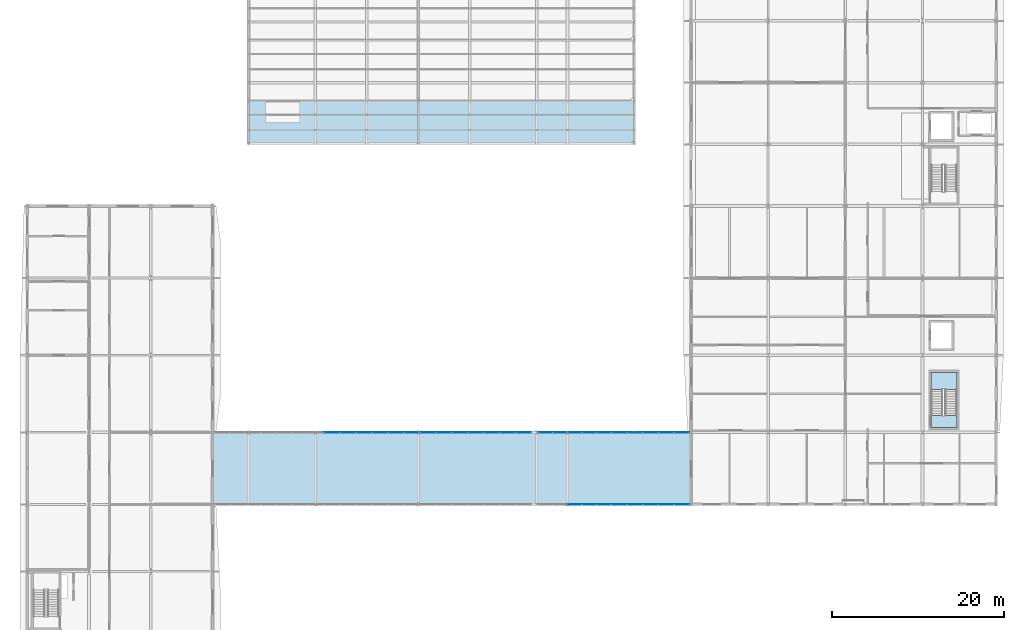
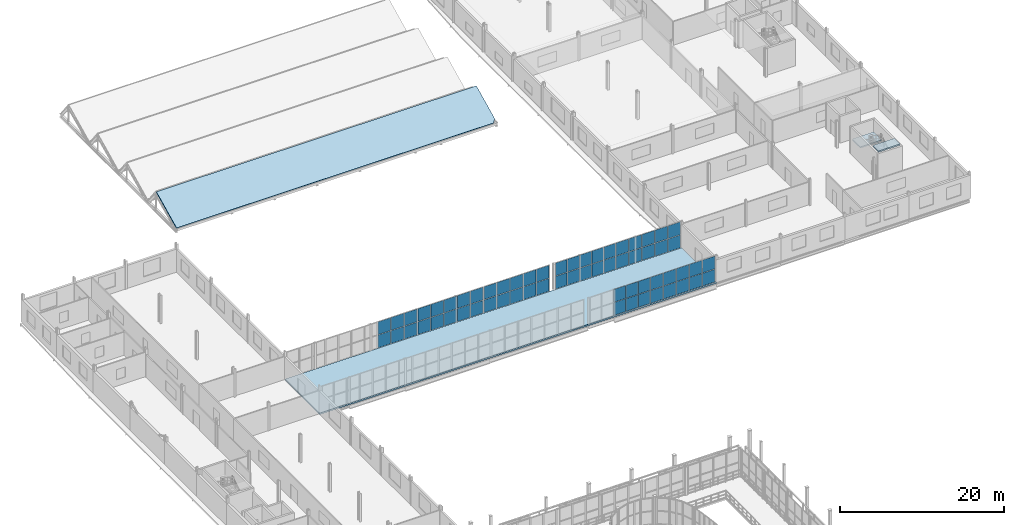
# One storey, part 102 of 138: 62 plates, 4 slabs, 8 elements without a shape of their own.
"""IFC4 building model written with IfcOpenShell, lengths in metres."""

from ifc_helpers import new_model, si_unit, direction, frame, origin, origin_2d, place, context, subcontext, project, spatial, polyline, rectangle, outline, extrude, material, layer, layer_set, type_object, element, aggregate, save


model = new_model("IFC4")

# Units and contexts
model_context = context("Model", 3, precision=1e-05, world=origin(), true_north=direction((0.0, 1.0)))
body_context = subcontext(model_context, "Body", "Model", "MODEL_VIEW")
ifc_project = project(units=[si_unit("LENGTHUNIT", "METRE"), si_unit("AREAUNIT", "SQUARE_METRE"), si_unit("VOLUMEUNIT", "CUBIC_METRE"), si_unit("PLANEANGLEUNIT", "RADIAN"), si_unit("MASSUNIT", "GRAM", prefix="KILO")], contexts=[model_context])

# Site, building, storey
site_placement = place(None, origin())
site = spatial("IfcSite", under=ifc_project, at=site_placement, CompositionType="ELEMENT")
building_placement = place(site_placement, origin())
building = spatial("IfcBuilding", under=site, at=building_placement, Name="Vinh Khe Railworks Police Headquarters", CompositionType="ELEMENT")
storey_placement = place(building_placement, frame((0.0, 0.0, 9.0)))
storey = spatial("IfcBuildingStorey", under=building, at=storey_placement, Name="L02", CompositionType="ELEMENT", Elevation=9.0)

# Curtain wall, plates
ifc_material_1 = material(Name="Anodised aluminium and solar-control glass", Category="aluminium")
ifc_layer_1 = layer(ifc_material_1, 0.159912109375)
ifc_layer_set_1 = layer_set([ifc_layer_1], Name="Anodised aluminium and solar-control glass")
curtain_wall_type = type_object("IfcCurtainWallType", Name="CW-SHOPFRONT", PredefinedType="USERDEFINED", material=ifc_layer_set_1)
curtain_wall_1_placement = place(storey_placement, origin())
curtain_wall_1 = element("IfcCurtainWall", 1, at=curtain_wall_1_placement, inside=storey, type_object=curtain_wall_type, Name="Link Bridge North Glazing L02 Bay 2", ObjectType="UNITISED GLAZING", PredefinedType="USERDEFINED")
ifc_material_2 = material(Name="Low-iron laminated solar-control glass", Category="glass")
ifc_layer_2 = layer(ifc_material_2, 0.028076171875)
ifc_layer_set_2 = layer_set([ifc_layer_2], Name="Low-iron laminated solar-control glass")
plate_type = type_object("IfcPlateType", Name="PAN-GLZ-28", PredefinedType="CURTAIN_PANEL", material=ifc_layer_set_2)
plate_1_placement = place(storey_placement, frame((36.14990234375, 104.39990234375, 0.06005859375), z_axis=(0.0, 0.0, 1.0), x_axis=(1.0, 0.0, 0.0)))
plate_1 = element("IfcPlate", 2, at=plate_1_placement, type_object=plate_type, Name="CW-03 panel 3.1", PredefinedType="CURTAIN_PANEL", context=body_context, shape_type="SweptSolid", body=[
    extrude(rectangle(XDim=1.800048828125, YDim=0.028076171875, at=origin_2d()), origin(), (0.0, 0.0, 1.0), 1.89990234375),
])
plate_2_placement = place(storey_placement, frame((36.14990234375, 104.39990234375, 2.02001953125), z_axis=(0.0, 0.0, 1.0), x_axis=(1.0, 0.0, 0.0)))
plate_2 = element("IfcPlate", 3, at=plate_2_placement, type_object=plate_type, Name="CW-03 panel 3.2", PredefinedType="CURTAIN_PANEL", context=body_context, shape_type="SweptSolid", body=[
    extrude(rectangle(XDim=1.800048828125, YDim=0.028076171875, at=origin_2d()), origin(), (0.0, 0.0, 1.0), 1.89990234375),
])
plate_3_placement = place(storey_placement, frame((38.010009765625, 104.39990234375, 0.06005859375), z_axis=(0.0, 0.0, 1.0), x_axis=(1.0, 0.0, 0.0)))
plate_3 = element("IfcPlate", 4, at=plate_3_placement, type_object=plate_type, Name="CW-03 panel 4.1", PredefinedType="CURTAIN_PANEL", context=body_context, shape_type="SweptSolid", body=[
    extrude(rectangle(XDim=1.800048828125, YDim=0.028076171875, at=origin_2d()), origin(), (0.0, 0.0, 1.0), 1.89990234375),
])
plate_4_placement = place(storey_placement, frame((38.010009765625, 104.39990234375, 2.02001953125), z_axis=(0.0, 0.0, 1.0), x_axis=(1.0, 0.0, 0.0)))
plate_4 = element("IfcPlate", 5, at=plate_4_placement, type_object=plate_type, Name="CW-03 panel 4.2", PredefinedType="CURTAIN_PANEL", context=body_context, shape_type="SweptSolid", body=[
    extrude(rectangle(XDim=1.800048828125, YDim=0.028076171875, at=origin_2d()), origin(), (0.0, 0.0, 1.0), 1.89990234375),
])
plate_5_placement = place(storey_placement, frame((39.85498046875, 104.39990234375, 0.06005859375), z_axis=(0.0, 0.0, 1.0), x_axis=(1.0, 0.0, 0.0)))
plate_5 = element("IfcPlate", 6, at=plate_5_placement, type_object=plate_type, Name="CW-03 panel 5.1", PredefinedType="CURTAIN_PANEL", context=body_context, shape_type="SweptSolid", body=[
    extrude(rectangle(XDim=1.77001953125, YDim=0.028076171875, at=origin_2d()), origin(), (0.0, 0.0, 1.0), 1.89990234375),
])
plate_6_placement = place(storey_placement, frame((39.85498046875, 104.39990234375, 2.02001953125), z_axis=(0.0, 0.0, 1.0), x_axis=(1.0, 0.0, 0.0)))
plate_6 = element("IfcPlate", 7, at=plate_6_placement, type_object=plate_type, Name="CW-03 panel 5.2", PredefinedType="CURTAIN_PANEL", context=body_context, shape_type="SweptSolid", body=[
    extrude(rectangle(XDim=1.77001953125, YDim=0.028076171875, at=origin_2d()), origin(), (0.0, 0.0, 1.0), 1.89990234375),
])
aggregate(curtain_wall_1, [plate_1, plate_2, plate_3, plate_4, plate_5, plate_6])

curtain_wall_2_placement = place(storey_placement, origin())
curtain_wall_2 = element("IfcCurtainWall", 8, at=curtain_wall_2_placement, inside=storey, type_object=curtain_wall_type, Name="Link Bridge North Glazing L02 Bay 3", ObjectType="UNITISED GLAZING", PredefinedType="USERDEFINED")
plate_7_placement = place(storey_placement, frame((41.7451171875, 104.39990234375, 0.06005859375), z_axis=(0.0, 0.0, 1.0), x_axis=(1.0, 0.0, 0.0)))
plate_7 = element("IfcPlate", 9, at=plate_7_placement, type_object=plate_type, Name="CW-03 panel 1.1", PredefinedType="CURTAIN_PANEL", context=body_context, shape_type="SweptSolid", body=[
    extrude(rectangle(XDim=1.77001953125, YDim=0.028076171875, at=origin_2d()), origin(), (0.0, 0.0, 1.0), 1.89990234375),
])
plate_8_placement = place(storey_placement, frame((41.7451171875, 104.39990234375, 2.02001953125), z_axis=(0.0, 0.0, 1.0), x_axis=(1.0, 0.0, 0.0)))
plate_8 = element("IfcPlate", 10, at=plate_8_placement, type_object=plate_type, Name="CW-03 panel 1.2", PredefinedType="CURTAIN_PANEL", context=body_context, shape_type="SweptSolid", body=[
    extrude(rectangle(XDim=1.77001953125, YDim=0.028076171875, at=origin_2d()), origin(), (0.0, 0.0, 1.0), 1.89990234375),
])
plate_9_placement = place(storey_placement, frame((43.590087890625, 104.39990234375, 0.06005859375), z_axis=(0.0, 0.0, 1.0), x_axis=(1.0, 0.0, 0.0)))
plate_9 = element("IfcPlate", 11, at=plate_9_placement, type_object=plate_type, Name="CW-03 panel 2.1", PredefinedType="CURTAIN_PANEL", context=body_context, shape_type="SweptSolid", body=[
    extrude(rectangle(XDim=1.800048828125, YDim=0.028076171875, at=origin_2d()), origin(), (0.0, 0.0, 1.0), 1.89990234375),
])
plate_10_placement = place(storey_placement, frame((43.590087890625, 104.39990234375, 2.02001953125), z_axis=(0.0, 0.0, 1.0), x_axis=(1.0, 0.0, 0.0)))
plate_10 = element("IfcPlate", 12, at=plate_10_placement, type_object=plate_type, Name="CW-03 panel 2.2", PredefinedType="CURTAIN_PANEL", context=body_context, shape_type="SweptSolid", body=[
    extrude(rectangle(XDim=1.800048828125, YDim=0.028076171875, at=origin_2d()), origin(), (0.0, 0.0, 1.0), 1.89990234375),
])
plate_11_placement = place(storey_placement, frame((45.449951171875, 104.39990234375, 0.06005859375), z_axis=(0.0, 0.0, 1.0), x_axis=(1.0, 0.0, 0.0)))
plate_11 = element("IfcPlate", 13, at=plate_11_placement, type_object=plate_type, Name="CW-03 panel 3.1", PredefinedType="CURTAIN_PANEL", context=body_context, shape_type="SweptSolid", body=[
    extrude(rectangle(XDim=1.800048828125, YDim=0.028076171875, at=origin_2d()), origin(), (0.0, 0.0, 1.0), 1.89990234375),
])
plate_12_placement = place(storey_placement, frame((45.449951171875, 104.39990234375, 2.02001953125), z_axis=(0.0, 0.0, 1.0), x_axis=(1.0, 0.0, 0.0)))
plate_12 = element("IfcPlate", 14, at=plate_12_placement, type_object=plate_type, Name="CW-03 panel 3.2", PredefinedType="CURTAIN_PANEL", context=body_context, shape_type="SweptSolid", body=[
    extrude(rectangle(XDim=1.800048828125, YDim=0.028076171875, at=origin_2d()), origin(), (0.0, 0.0, 1.0), 1.89990234375),
])
plate_13_placement = place(storey_placement, frame((47.31005859375, 104.39990234375, 0.06005859375), z_axis=(0.0, 0.0, 1.0), x_axis=(1.0, 0.0, 0.0)))
plate_13 = element("IfcPlate", 15, at=plate_13_placement, type_object=plate_type, Name="CW-03 panel 4.1", PredefinedType="CURTAIN_PANEL", context=body_context, shape_type="SweptSolid", body=[
    extrude(rectangle(XDim=1.800048828125, YDim=0.028076171875, at=origin_2d()), origin(), (0.0, 0.0, 1.0), 1.89990234375),
])
plate_14_placement = place(storey_placement, frame((47.31005859375, 104.39990234375, 2.02001953125), z_axis=(0.0, 0.0, 1.0), x_axis=(1.0, 0.0, 0.0)))
plate_14 = element("IfcPlate", 16, at=plate_14_placement, type_object=plate_type, Name="CW-03 panel 4.2", PredefinedType="CURTAIN_PANEL", context=body_context, shape_type="SweptSolid", body=[
    extrude(rectangle(XDim=1.800048828125, YDim=0.028076171875, at=origin_2d()), origin(), (0.0, 0.0, 1.0), 1.89990234375),
])
plate_15_placement = place(storey_placement, frame((49.155029296875, 104.39990234375, 0.06005859375), z_axis=(0.0, 0.0, 1.0), x_axis=(1.0, 0.0, 0.0)))
plate_15 = element("IfcPlate", 17, at=plate_15_placement, type_object=plate_type, Name="CW-03 panel 5.1", PredefinedType="CURTAIN_PANEL", context=body_context, shape_type="SweptSolid", body=[
    extrude(rectangle(XDim=1.77001953125, YDim=0.028076171875, at=origin_2d()), origin(), (0.0, 0.0, 1.0), 1.89990234375),
])
plate_16_placement = place(storey_placement, frame((49.155029296875, 104.39990234375, 2.02001953125), z_axis=(0.0, 0.0, 1.0), x_axis=(1.0, 0.0, 0.0)))
plate_16 = element("IfcPlate", 18, at=plate_16_placement, type_object=plate_type, Name="CW-03 panel 5.2", PredefinedType="CURTAIN_PANEL", context=body_context, shape_type="SweptSolid", body=[
    extrude(rectangle(XDim=1.77001953125, YDim=0.028076171875, at=origin_2d()), origin(), (0.0, 0.0, 1.0), 1.89990234375),
])
aggregate(curtain_wall_2, [plate_7, plate_8, plate_9, plate_10, plate_11, plate_12, plate_13, plate_14, plate_15, plate_16])

curtain_wall_3_placement = place(storey_placement, origin())
curtain_wall_3 = element("IfcCurtainWall", 19, at=curtain_wall_3_placement, inside=storey, type_object=curtain_wall_type, Name="Link Bridge North Glazing L02 Bay 4", ObjectType="UNITISED GLAZING", PredefinedType="USERDEFINED")
plate_17_placement = place(storey_placement, frame((51.044921875, 104.39990234375, 0.06005859375), z_axis=(0.0, 0.0, 1.0), x_axis=(1.0, 0.0, 0.0)))
plate_17 = element("IfcPlate", 20, at=plate_17_placement, type_object=plate_type, Name="CW-03 panel 1.1", PredefinedType="CURTAIN_PANEL", context=body_context, shape_type="SweptSolid", body=[
    extrude(rectangle(XDim=1.77001953125, YDim=0.028076171875, at=origin_2d()), origin(), (0.0, 0.0, 1.0), 1.89990234375),
])
plate_18_placement = place(storey_placement, frame((51.044921875, 104.39990234375, 2.02001953125), z_axis=(0.0, 0.0, 1.0), x_axis=(1.0, 0.0, 0.0)))
plate_18 = element("IfcPlate", 21, at=plate_18_placement, type_object=plate_type, Name="CW-03 panel 1.2", PredefinedType="CURTAIN_PANEL", context=body_context, shape_type="SweptSolid", body=[
    extrude(rectangle(XDim=1.77001953125, YDim=0.028076171875, at=origin_2d()), origin(), (0.0, 0.0, 1.0), 1.89990234375),
])
plate_19_placement = place(storey_placement, frame((52.889892578125, 104.39990234375, 0.06005859375), z_axis=(0.0, 0.0, 1.0), x_axis=(1.0, 0.0, 0.0)))
plate_19 = element("IfcPlate", 22, at=plate_19_placement, type_object=plate_type, Name="CW-03 panel 2.1", PredefinedType="CURTAIN_PANEL", context=body_context, shape_type="SweptSolid", body=[
    extrude(rectangle(XDim=1.800048828125, YDim=0.028076171875, at=origin_2d()), origin(), (0.0, 0.0, 1.0), 1.89990234375),
])
plate_20_placement = place(storey_placement, frame((52.889892578125, 104.39990234375, 2.02001953125), z_axis=(0.0, 0.0, 1.0), x_axis=(1.0, 0.0, 0.0)))
plate_20 = element("IfcPlate", 23, at=plate_20_placement, type_object=plate_type, Name="CW-03 panel 2.2", PredefinedType="CURTAIN_PANEL", context=body_context, shape_type="SweptSolid", body=[
    extrude(rectangle(XDim=1.800048828125, YDim=0.028076171875, at=origin_2d()), origin(), (0.0, 0.0, 1.0), 1.89990234375),
])
plate_21_placement = place(storey_placement, frame((54.75, 104.39990234375, 0.06005859375), z_axis=(0.0, 0.0, 1.0), x_axis=(1.0, 0.0, 0.0)))
plate_21 = element("IfcPlate", 24, at=plate_21_placement, type_object=plate_type, Name="CW-03 panel 3.1", PredefinedType="CURTAIN_PANEL", context=body_context, shape_type="SweptSolid", body=[
    extrude(rectangle(XDim=1.800048828125, YDim=0.028076171875, at=origin_2d()), origin(), (0.0, 0.0, 1.0), 1.89990234375),
])
plate_22_placement = place(storey_placement, frame((54.75, 104.39990234375, 2.02001953125), z_axis=(0.0, 0.0, 1.0), x_axis=(1.0, 0.0, 0.0)))
plate_22 = element("IfcPlate", 25, at=plate_22_placement, type_object=plate_type, Name="CW-03 panel 3.2", PredefinedType="CURTAIN_PANEL", context=body_context, shape_type="SweptSolid", body=[
    extrude(rectangle(XDim=1.800048828125, YDim=0.028076171875, at=origin_2d()), origin(), (0.0, 0.0, 1.0), 1.89990234375),
])
plate_23_placement = place(storey_placement, frame((56.610107421875, 104.39990234375, 0.06005859375), z_axis=(0.0, 0.0, 1.0), x_axis=(1.0, 0.0, 0.0)))
plate_23 = element("IfcPlate", 26, at=plate_23_placement, type_object=plate_type, Name="CW-03 panel 4.1", PredefinedType="CURTAIN_PANEL", context=body_context, shape_type="SweptSolid", body=[
    extrude(rectangle(XDim=1.800048828125, YDim=0.028076171875, at=origin_2d()), origin(), (0.0, 0.0, 1.0), 1.89990234375),
])
plate_24_placement = place(storey_placement, frame((56.610107421875, 104.39990234375, 2.02001953125), z_axis=(0.0, 0.0, 1.0), x_axis=(1.0, 0.0, 0.0)))
plate_24 = element("IfcPlate", 27, at=plate_24_placement, type_object=plate_type, Name="CW-03 panel 4.2", PredefinedType="CURTAIN_PANEL", context=body_context, shape_type="SweptSolid", body=[
    extrude(rectangle(XDim=1.800048828125, YDim=0.028076171875, at=origin_2d()), origin(), (0.0, 0.0, 1.0), 1.89990234375),
])
plate_25_placement = place(storey_placement, frame((58.455078125, 104.39990234375, 0.06005859375), z_axis=(0.0, 0.0, 1.0), x_axis=(1.0, 0.0, 0.0)))
plate_25 = element("IfcPlate", 28, at=plate_25_placement, type_object=plate_type, Name="CW-03 panel 5.1", PredefinedType="CURTAIN_PANEL", context=body_context, shape_type="SweptSolid", body=[
    extrude(rectangle(XDim=1.77001953125, YDim=0.028076171875, at=origin_2d()), origin(), (0.0, 0.0, 1.0), 1.89990234375),
])
plate_26_placement = place(storey_placement, frame((58.455078125, 104.39990234375, 2.02001953125), z_axis=(0.0, 0.0, 1.0), x_axis=(1.0, 0.0, 0.0)))
plate_26 = element("IfcPlate", 29, at=plate_26_placement, type_object=plate_type, Name="CW-03 panel 5.2", PredefinedType="CURTAIN_PANEL", context=body_context, shape_type="SweptSolid", body=[
    extrude(rectangle(XDim=1.77001953125, YDim=0.028076171875, at=origin_2d()), origin(), (0.0, 0.0, 1.0), 1.89990234375),
])
aggregate(curtain_wall_3, [plate_17, plate_18, plate_19, plate_20, plate_21, plate_22, plate_23, plate_24, plate_25, plate_26])

curtain_wall_4_placement = place(storey_placement, origin())
curtain_wall_4 = element("IfcCurtainWall", 30, at=curtain_wall_4_placement, inside=storey, type_object=curtain_wall_type, Name="Link Bridge South Glazing L02 Bay 5", ObjectType="UNITISED GLAZING", PredefinedType="USERDEFINED")
plate_27_placement = place(storey_placement, frame((64.419921875, 96.0, 0.06005859375), z_axis=(0.0, 0.0, 1.0), x_axis=(1.0, 0.0, 0.0)))
plate_27 = element("IfcPlate", 31, at=plate_27_placement, type_object=plate_type, Name="CW-03 panel 3.1", PredefinedType="CURTAIN_PANEL", context=body_context, shape_type="SweptSolid", body=[
    extrude(rectangle(XDim=1.652099609375, YDim=0.028076171875, at=origin_2d()), origin(), (0.0, 0.0, 1.0), 1.89990234375),
])
plate_28_placement = place(storey_placement, frame((64.419921875, 96.0, 2.02001953125), z_axis=(0.0, 0.0, 1.0), x_axis=(1.0, 0.0, 0.0)))
plate_28 = element("IfcPlate", 32, at=plate_28_placement, type_object=plate_type, Name="CW-03 panel 3.2", PredefinedType="CURTAIN_PANEL", context=body_context, shape_type="SweptSolid", body=[
    extrude(rectangle(XDim=1.652099609375, YDim=0.028076171875, at=origin_2d()), origin(), (0.0, 0.0, 1.0), 1.89990234375),
])
plate_29_placement = place(storey_placement, frame((66.132080078125, 96.0, 0.06005859375), z_axis=(0.0, 0.0, 1.0), x_axis=(1.0, 0.0, 0.0)))
plate_29 = element("IfcPlate", 33, at=plate_29_placement, type_object=plate_type, Name="CW-03 panel 4.1", PredefinedType="CURTAIN_PANEL", context=body_context, shape_type="SweptSolid", body=[
    extrude(rectangle(XDim=1.652099609375, YDim=0.028076171875, at=origin_2d()), origin(), (0.0, 0.0, 1.0), 1.89990234375),
])
plate_30_placement = place(storey_placement, frame((66.132080078125, 96.0, 2.02001953125), z_axis=(0.0, 0.0, 1.0), x_axis=(1.0, 0.0, 0.0)))
plate_30 = element("IfcPlate", 34, at=plate_30_placement, type_object=plate_type, Name="CW-03 panel 4.2", PredefinedType="CURTAIN_PANEL", context=body_context, shape_type="SweptSolid", body=[
    extrude(rectangle(XDim=1.652099609375, YDim=0.028076171875, at=origin_2d()), origin(), (0.0, 0.0, 1.0), 1.89990234375),
])
plate_31_placement = place(storey_placement, frame((67.8291015625, 96.0, 0.06005859375), z_axis=(0.0, 0.0, 1.0), x_axis=(1.0, 0.0, 0.0)))
plate_31 = element("IfcPlate", 35, at=plate_31_placement, type_object=plate_type, Name="CW-03 panel 5.1", PredefinedType="CURTAIN_PANEL", context=body_context, shape_type="SweptSolid", body=[
    extrude(rectangle(XDim=1.6220703125, YDim=0.028076171875, at=origin_2d()), origin(), (0.0, 0.0, 1.0), 1.89990234375),
])
plate_32_placement = place(storey_placement, frame((67.8291015625, 96.0, 2.02001953125), z_axis=(0.0, 0.0, 1.0), x_axis=(1.0, 0.0, 0.0)))
plate_32 = element("IfcPlate", 36, at=plate_32_placement, type_object=plate_type, Name="CW-03 panel 5.2", PredefinedType="CURTAIN_PANEL", context=body_context, shape_type="SweptSolid", body=[
    extrude(rectangle(XDim=1.6220703125, YDim=0.028076171875, at=origin_2d()), origin(), (0.0, 0.0, 1.0), 1.89990234375),
])
aggregate(curtain_wall_4, [plate_27, plate_28, plate_29, plate_30, plate_31, plate_32])

curtain_wall_5_placement = place(storey_placement, origin())
curtain_wall_5 = element("IfcCurtainWall", 37, at=curtain_wall_5_placement, inside=storey, type_object=curtain_wall_type, Name="Link Bridge North Glazing L02 Bay 5", ObjectType="UNITISED GLAZING", PredefinedType="USERDEFINED")
plate_33_placement = place(storey_placement, frame((61.060546875, 104.39990234375, 0.06005859375), z_axis=(0.0, 0.0, 1.0), x_axis=(1.0, 0.0, 0.0)))
plate_33 = element("IfcPlate", 38, at=plate_33_placement, type_object=plate_type, Name="CW-03 panel 1.1", PredefinedType="CURTAIN_PANEL", context=body_context, shape_type="SweptSolid", body=[
    extrude(rectangle(XDim=1.611083984375, YDim=0.028076171875, at=origin_2d()), origin(), (0.0, 0.0, 1.0), 1.89990234375),
])
plate_34_placement = place(storey_placement, frame((61.060546875, 104.39990234375, 2.02001953125), z_axis=(0.0, 0.0, 1.0), x_axis=(1.0, 0.0, 0.0)))
plate_34 = element("IfcPlate", 39, at=plate_34_placement, type_object=plate_type, Name="CW-03 panel 1.2", PredefinedType="CURTAIN_PANEL", context=body_context, shape_type="SweptSolid", body=[
    extrude(rectangle(XDim=1.611083984375, YDim=0.028076171875, at=origin_2d()), origin(), (0.0, 0.0, 1.0), 1.89990234375),
])
plate_35_placement = place(storey_placement, frame((62.74658203125, 104.39990234375, 0.06005859375), z_axis=(0.0, 0.0, 1.0), x_axis=(1.0, 0.0, 0.0)))
plate_35 = element("IfcPlate", 40, at=plate_35_placement, type_object=plate_type, Name="CW-03 panel 2.1", PredefinedType="CURTAIN_PANEL", context=body_context, shape_type="SweptSolid", body=[
    extrude(rectangle(XDim=1.64111328125, YDim=0.028076171875, at=origin_2d()), origin(), (0.0, 0.0, 1.0), 1.89990234375),
])
plate_36_placement = place(storey_placement, frame((62.74658203125, 104.39990234375, 2.02001953125), z_axis=(0.0, 0.0, 1.0), x_axis=(1.0, 0.0, 0.0)))
plate_36 = element("IfcPlate", 41, at=plate_36_placement, type_object=plate_type, Name="CW-03 panel 2.2", PredefinedType="CURTAIN_PANEL", context=body_context, shape_type="SweptSolid", body=[
    extrude(rectangle(XDim=1.64111328125, YDim=0.028076171875, at=origin_2d()), origin(), (0.0, 0.0, 1.0), 1.89990234375),
])
plate_37_placement = place(storey_placement, frame((64.447509765625, 104.39990234375, 0.06005859375), z_axis=(0.0, 0.0, 1.0), x_axis=(1.0, 0.0, 0.0)))
plate_37 = element("IfcPlate", 42, at=plate_37_placement, type_object=plate_type, Name="CW-03 panel 3.1", PredefinedType="CURTAIN_PANEL", context=body_context, shape_type="SweptSolid", body=[
    extrude(rectangle(XDim=1.64111328125, YDim=0.028076171875, at=origin_2d()), origin(), (0.0, 0.0, 1.0), 1.89990234375),
])
plate_38_placement = place(storey_placement, frame((64.447509765625, 104.39990234375, 2.02001953125), z_axis=(0.0, 0.0, 1.0), x_axis=(1.0, 0.0, 0.0)))
plate_38 = element("IfcPlate", 43, at=plate_38_placement, type_object=plate_type, Name="CW-03 panel 3.2", PredefinedType="CURTAIN_PANEL", context=body_context, shape_type="SweptSolid", body=[
    extrude(rectangle(XDim=1.64111328125, YDim=0.028076171875, at=origin_2d()), origin(), (0.0, 0.0, 1.0), 1.89990234375),
])
plate_39_placement = place(storey_placement, frame((66.1484375, 104.39990234375, 0.06005859375), z_axis=(0.0, 0.0, 1.0), x_axis=(1.0, 0.0, 0.0)))
plate_39 = element("IfcPlate", 44, at=plate_39_placement, type_object=plate_type, Name="CW-03 panel 4.1", PredefinedType="CURTAIN_PANEL", context=body_context, shape_type="SweptSolid", body=[
    extrude(rectangle(XDim=1.64111328125, YDim=0.028076171875, at=origin_2d()), origin(), (0.0, 0.0, 1.0), 1.89990234375),
])
plate_40_placement = place(storey_placement, frame((66.1484375, 104.39990234375, 2.02001953125), z_axis=(0.0, 0.0, 1.0), x_axis=(1.0, 0.0, 0.0)))
plate_40 = element("IfcPlate", 45, at=plate_40_placement, type_object=plate_type, Name="CW-03 panel 4.2", PredefinedType="CURTAIN_PANEL", context=body_context, shape_type="SweptSolid", body=[
    extrude(rectangle(XDim=1.64111328125, YDim=0.028076171875, at=origin_2d()), origin(), (0.0, 0.0, 1.0), 1.89990234375),
])
plate_41_placement = place(storey_placement, frame((67.83447265625, 104.39990234375, 0.06005859375), z_axis=(0.0, 0.0, 1.0), x_axis=(1.0, 0.0, 0.0)))
plate_41 = element("IfcPlate", 46, at=plate_41_placement, type_object=plate_type, Name="CW-03 panel 5.1", PredefinedType="CURTAIN_PANEL", context=body_context, shape_type="SweptSolid", body=[
    extrude(rectangle(XDim=1.611083984375, YDim=0.028076171875, at=origin_2d()), origin(), (0.0, 0.0, 1.0), 1.89990234375),
])
plate_42_placement = place(storey_placement, frame((67.83447265625, 104.39990234375, 2.02001953125), z_axis=(0.0, 0.0, 1.0), x_axis=(1.0, 0.0, 0.0)))
plate_42 = element("IfcPlate", 47, at=plate_42_placement, type_object=plate_type, Name="CW-03 panel 5.2", PredefinedType="CURTAIN_PANEL", context=body_context, shape_type="SweptSolid", body=[
    extrude(rectangle(XDim=1.611083984375, YDim=0.028076171875, at=origin_2d()), origin(), (0.0, 0.0, 1.0), 1.89990234375),
])
aggregate(curtain_wall_5, [plate_33, plate_34, plate_35, plate_36, plate_37, plate_38, plate_39, plate_40, plate_41, plate_42])

curtain_wall_6_placement = place(storey_placement, origin())
curtain_wall_6 = element("IfcCurtainWall", 48, at=curtain_wall_6_placement, inside=storey, type_object=curtain_wall_type, Name="Link Bridge South Glazing L02 Bay 6", ObjectType="UNITISED GLAZING", PredefinedType="USERDEFINED")
plate_43_placement = place(storey_placement, frame((69.62890625, 96.0, 0.06005859375), z_axis=(0.0, 0.0, 1.0), x_axis=(1.0, 0.0, 0.0)))
plate_43 = element("IfcPlate", 49, at=plate_43_placement, type_object=plate_type, Name="CW-03 panel 1.1", PredefinedType="CURTAIN_PANEL", context=body_context, shape_type="SweptSolid", body=[
    extrude(rectangle(XDim=1.738037109375, YDim=0.028076171875, at=origin_2d()), origin(), (0.0, 0.0, 1.0), 1.89990234375),
])
plate_44_placement = place(storey_placement, frame((69.62890625, 96.0, 2.02001953125), z_axis=(0.0, 0.0, 1.0), x_axis=(1.0, 0.0, 0.0)))
plate_44 = element("IfcPlate", 50, at=plate_44_placement, type_object=plate_type, Name="CW-03 panel 1.2", PredefinedType="CURTAIN_PANEL", context=body_context, shape_type="SweptSolid", body=[
    extrude(rectangle(XDim=1.738037109375, YDim=0.028076171875, at=origin_2d()), origin(), (0.0, 0.0, 1.0), 1.89990234375),
])
plate_45_placement = place(storey_placement, frame((71.44189453125, 96.0, 0.06005859375), z_axis=(0.0, 0.0, 1.0), x_axis=(1.0, 0.0, 0.0)))
plate_45 = element("IfcPlate", 51, at=plate_45_placement, type_object=plate_type, Name="CW-03 panel 2.1", PredefinedType="CURTAIN_PANEL", context=body_context, shape_type="SweptSolid", body=[
    extrude(rectangle(XDim=1.76806640625, YDim=0.028076171875, at=origin_2d()), origin(), (0.0, 0.0, 1.0), 1.89990234375),
])
plate_46_placement = place(storey_placement, frame((71.44189453125, 96.0, 2.02001953125), z_axis=(0.0, 0.0, 1.0), x_axis=(1.0, 0.0, 0.0)))
plate_46 = element("IfcPlate", 52, at=plate_46_placement, type_object=plate_type, Name="CW-03 panel 2.2", PredefinedType="CURTAIN_PANEL", context=body_context, shape_type="SweptSolid", body=[
    extrude(rectangle(XDim=1.76806640625, YDim=0.028076171875, at=origin_2d()), origin(), (0.0, 0.0, 1.0), 1.89990234375),
])
plate_47_placement = place(storey_placement, frame((73.27001953125, 96.0, 0.06005859375), z_axis=(0.0, 0.0, 1.0), x_axis=(1.0, 0.0, 0.0)))
plate_47 = element("IfcPlate", 53, at=plate_47_placement, type_object=plate_type, Name="CW-03 panel 3.1", PredefinedType="CURTAIN_PANEL", context=body_context, shape_type="SweptSolid", body=[
    extrude(rectangle(XDim=1.76806640625, YDim=0.028076171875, at=origin_2d()), origin(), (0.0, 0.0, 1.0), 1.89990234375),
])
plate_48_placement = place(storey_placement, frame((73.27001953125, 96.0, 2.02001953125), z_axis=(0.0, 0.0, 1.0), x_axis=(1.0, 0.0, 0.0)))
plate_48 = element("IfcPlate", 54, at=plate_48_placement, type_object=plate_type, Name="CW-03 panel 3.2", PredefinedType="CURTAIN_PANEL", context=body_context, shape_type="SweptSolid", body=[
    extrude(rectangle(XDim=1.76806640625, YDim=0.028076171875, at=origin_2d()), origin(), (0.0, 0.0, 1.0), 1.89990234375),
])
plate_49_placement = place(storey_placement, frame((75.097900390625, 96.0, 0.06005859375), z_axis=(0.0, 0.0, 1.0), x_axis=(1.0, 0.0, 0.0)))
plate_49 = element("IfcPlate", 55, at=plate_49_placement, type_object=plate_type, Name="CW-03 panel 4.1", PredefinedType="CURTAIN_PANEL", context=body_context, shape_type="SweptSolid", body=[
    extrude(rectangle(XDim=1.76806640625, YDim=0.028076171875, at=origin_2d()), origin(), (0.0, 0.0, 1.0), 1.89990234375),
])
plate_50_placement = place(storey_placement, frame((75.097900390625, 96.0, 2.02001953125), z_axis=(0.0, 0.0, 1.0), x_axis=(1.0, 0.0, 0.0)))
plate_50 = element("IfcPlate", 56, at=plate_50_placement, type_object=plate_type, Name="CW-03 panel 4.2", PredefinedType="CURTAIN_PANEL", context=body_context, shape_type="SweptSolid", body=[
    extrude(rectangle(XDim=1.76806640625, YDim=0.028076171875, at=origin_2d()), origin(), (0.0, 0.0, 1.0), 1.89990234375),
])
plate_51_placement = place(storey_placement, frame((76.910888671875, 96.0, 0.06005859375), z_axis=(0.0, 0.0, 1.0), x_axis=(1.0, 0.0, 0.0)))
plate_51 = element("IfcPlate", 57, at=plate_51_placement, type_object=plate_type, Name="CW-03 panel 5.1", PredefinedType="CURTAIN_PANEL", context=body_context, shape_type="SweptSolid", body=[
    extrude(rectangle(XDim=1.738037109375, YDim=0.028076171875, at=origin_2d()), origin(), (0.0, 0.0, 1.0), 1.89990234375),
])
plate_52_placement = place(storey_placement, frame((76.910888671875, 96.0, 2.02001953125), z_axis=(0.0, 0.0, 1.0), x_axis=(1.0, 0.0, 0.0)))
plate_52 = element("IfcPlate", 58, at=plate_52_placement, type_object=plate_type, Name="CW-03 panel 5.2", PredefinedType="CURTAIN_PANEL", context=body_context, shape_type="SweptSolid", body=[
    extrude(rectangle(XDim=1.738037109375, YDim=0.028076171875, at=origin_2d()), origin(), (0.0, 0.0, 1.0), 1.89990234375),
])
aggregate(curtain_wall_6, [plate_43, plate_44, plate_45, plate_46, plate_47, plate_48, plate_49, plate_50, plate_51, plate_52])

curtain_wall_7_placement = place(storey_placement, origin())
curtain_wall_7 = element("IfcCurtainWall", 59, at=curtain_wall_7_placement, inside=storey, type_object=curtain_wall_type, Name="Link Bridge North Glazing L02 Bay 6", ObjectType="UNITISED GLAZING", PredefinedType="USERDEFINED")
plate_53_placement = place(storey_placement, frame((69.631103515625, 104.39990234375, 0.06005859375), z_axis=(0.0, 0.0, 1.0), x_axis=(1.0, 0.0, 0.0)))
plate_53 = element("IfcPlate", 60, at=plate_53_placement, type_object=plate_type, Name="CW-03 panel 1.1", PredefinedType="CURTAIN_PANEL", context=body_context, shape_type="SweptSolid", body=[
    extrude(rectangle(XDim=1.741943359375, YDim=0.028076171875, at=origin_2d()), origin(), (0.0, 0.0, 1.0), 1.89990234375),
])
plate_54_placement = place(storey_placement, frame((69.631103515625, 104.39990234375, 2.02001953125), z_axis=(0.0, 0.0, 1.0), x_axis=(1.0, 0.0, 0.0)))
plate_54 = element("IfcPlate", 61, at=plate_54_placement, type_object=plate_type, Name="CW-03 panel 1.2", PredefinedType="CURTAIN_PANEL", context=body_context, shape_type="SweptSolid", body=[
    extrude(rectangle(XDim=1.741943359375, YDim=0.028076171875, at=origin_2d()), origin(), (0.0, 0.0, 1.0), 1.89990234375),
])
plate_55_placement = place(storey_placement, frame((71.447998046875, 104.39990234375, 0.06005859375), z_axis=(0.0, 0.0, 1.0), x_axis=(1.0, 0.0, 0.0)))
plate_55 = element("IfcPlate", 62, at=plate_55_placement, type_object=plate_type, Name="CW-03 panel 2.1", PredefinedType="CURTAIN_PANEL", context=body_context, shape_type="SweptSolid", body=[
    extrude(rectangle(XDim=1.77197265625, YDim=0.028076171875, at=origin_2d()), origin(), (0.0, 0.0, 1.0), 1.89990234375),
])
plate_56_placement = place(storey_placement, frame((71.447998046875, 104.39990234375, 2.02001953125), z_axis=(0.0, 0.0, 1.0), x_axis=(1.0, 0.0, 0.0)))
plate_56 = element("IfcPlate", 63, at=plate_56_placement, type_object=plate_type, Name="CW-03 panel 2.2", PredefinedType="CURTAIN_PANEL", context=body_context, shape_type="SweptSolid", body=[
    extrude(rectangle(XDim=1.77197265625, YDim=0.028076171875, at=origin_2d()), origin(), (0.0, 0.0, 1.0), 1.89990234375),
])
plate_57_placement = place(storey_placement, frame((73.280029296875, 104.39990234375, 0.06005859375), z_axis=(0.0, 0.0, 1.0), x_axis=(1.0, 0.0, 0.0)))
plate_57 = element("IfcPlate", 64, at=plate_57_placement, type_object=plate_type, Name="CW-03 panel 3.1", PredefinedType="CURTAIN_PANEL", context=body_context, shape_type="SweptSolid", body=[
    extrude(rectangle(XDim=1.77197265625, YDim=0.028076171875, at=origin_2d()), origin(), (0.0, 0.0, 1.0), 1.89990234375),
])
plate_58_placement = place(storey_placement, frame((73.280029296875, 104.39990234375, 2.02001953125), z_axis=(0.0, 0.0, 1.0), x_axis=(1.0, 0.0, 0.0)))
plate_58 = element("IfcPlate", 65, at=plate_58_placement, type_object=plate_type, Name="CW-03 panel 3.2", PredefinedType="CURTAIN_PANEL", context=body_context, shape_type="SweptSolid", body=[
    extrude(rectangle(XDim=1.77197265625, YDim=0.028076171875, at=origin_2d()), origin(), (0.0, 0.0, 1.0), 1.89990234375),
])
plate_59_placement = place(storey_placement, frame((75.112060546875, 104.39990234375, 0.06005859375), z_axis=(0.0, 0.0, 1.0), x_axis=(1.0, 0.0, 0.0)))
plate_59 = element("IfcPlate", 66, at=plate_59_placement, type_object=plate_type, Name="CW-03 panel 4.1", PredefinedType="CURTAIN_PANEL", context=body_context, shape_type="SweptSolid", body=[
    extrude(rectangle(XDim=1.77197265625, YDim=0.028076171875, at=origin_2d()), origin(), (0.0, 0.0, 1.0), 1.89990234375),
])
plate_60_placement = place(storey_placement, frame((75.112060546875, 104.39990234375, 2.02001953125), z_axis=(0.0, 0.0, 1.0), x_axis=(1.0, 0.0, 0.0)))
plate_60 = element("IfcPlate", 67, at=plate_60_placement, type_object=plate_type, Name="CW-03 panel 4.2", PredefinedType="CURTAIN_PANEL", context=body_context, shape_type="SweptSolid", body=[
    extrude(rectangle(XDim=1.77197265625, YDim=0.028076171875, at=origin_2d()), origin(), (0.0, 0.0, 1.0), 1.89990234375),
])
plate_61_placement = place(storey_placement, frame((76.928955078125, 104.39990234375, 0.06005859375), z_axis=(0.0, 0.0, 1.0), x_axis=(1.0, 0.0, 0.0)))
plate_61 = element("IfcPlate", 68, at=plate_61_placement, type_object=plate_type, Name="CW-03 panel 5.1", PredefinedType="CURTAIN_PANEL", context=body_context, shape_type="SweptSolid", body=[
    extrude(rectangle(XDim=1.741943359375, YDim=0.028076171875, at=origin_2d()), origin(), (0.0, 0.0, 1.0), 1.89990234375),
])
plate_62_placement = place(storey_placement, frame((76.928955078125, 104.39990234375, 2.02001953125), z_axis=(0.0, 0.0, 1.0), x_axis=(1.0, 0.0, 0.0)))
plate_62 = element("IfcPlate", 69, at=plate_62_placement, type_object=plate_type, Name="CW-03 panel 5.2", PredefinedType="CURTAIN_PANEL", context=body_context, shape_type="SweptSolid", body=[
    extrude(rectangle(XDim=1.741943359375, YDim=0.028076171875, at=origin_2d()), origin(), (0.0, 0.0, 1.0), 1.89990234375),
])
aggregate(curtain_wall_7, [plate_53, plate_54, plate_55, plate_56, plate_57, plate_58, plate_59, plate_60, plate_61, plate_62])

# Stair, slabs
ifc_material_3 = material(Name="Precast concrete C40/50 (B40)", Category="concrete")
stair_type = type_object("IfcStairType", Name="ST-CORE-DOGLEG", PredefinedType="HALF_TURN_STAIR", material=ifc_material_3)
stair_placement = place(storey_placement, origin())
stair = element("IfcStair", 70, at=stair_placement, inside=storey, type_object=stair_type, Name="L02 Escape Stair ST-04", PredefinedType="HALF_TURN_STAIR")
ifc_material_4 = material(Name="Concrete C35/45 (B35)", Category="concrete")
ifc_layer_3 = layer(ifc_material_4, 0.199951171875)
ifc_layer_set_3 = layer_set([ifc_layer_3], Name="Concrete C35/45 (B35)")
slab_type_1 = type_object("IfcSlabType", Name="SLB-LAND-200", PredefinedType="LANDING", material=ifc_layer_set_3)
slab_1_placement = place(storey_placement, frame((0.0, 0.0, 1.89990234375)))
slab_1 = element("IfcSlab", 71, at=slab_1_placement, type_object=slab_type_1, Name="ST-04 landing 1", PredefinedType="LANDING", context=body_context, shape_type="SweptSolid", body=[
    extrude(outline(polyline([(109.0, 109.429931640625), (109.0, 111.39990234375), (106.0, 111.39990234375), (106.0, 109.429931640625), (109.0, 109.429931640625)])), origin(), (0.0, 0.0, 1.0), 0.2001953125),
])
slab_2_placement = place(storey_placement, frame((0.0, 0.0, 4.0)))
slab_2 = element("IfcSlab", 72, at=slab_2_placement, type_object=slab_type_1, Name="ST-04 landing 2", PredefinedType="LANDING", context=body_context, shape_type="SweptSolid", body=[
    extrude(outline(polyline([(105.97998046875, 104.97998046875), (109.02001953125, 104.97998046875), (109.02001953125, 106.360107421875), (105.97998046875, 106.360107421875), (105.97998046875, 104.97998046875)])), origin(), (0.0, 0.0, 1.0), 0.199951171875),
])
aggregate(stair, [slab_1, slab_2])

# Slabs
ifc_layer_4 = layer(ifc_material_4, 0.14990234375)
ifc_layer_set_4 = layer_set([ifc_layer_4], Name="Concrete C35/45 (B35)")
slab_type_2 = type_object("IfcSlabType", Name="Sawtooth Shed Roof Deck 150", PredefinedType="ROOF", material=ifc_layer_set_4)
slab_3_placement = place(storey_placement, frame((26.39990234375, 138.090087890625, 0.550048828125), z_axis=(5.084e-09, -0.438414845318, 0.898772731788), x_axis=(1.0, 2.229e-09, -4.569e-09)))
element("IfcSlab", 73, at=slab_3_placement, inside=storey, type_object=slab_type_2, Name="Sawtooth Shed Roof Facet 1S", PredefinedType="ROOF", context=body_context, shape_type="SweptSolid", body=[
    extrude(outline(polyline([(0.0, 0.0), (44.550048828125, 0.0), (45.0, 0.500628195953436), (45.0, 5.47404443858837), (1.1628394209068381e-17, 5.47404443858837), (0.0, 0.0)])), origin(), (0.0, 0.0, -1.0), 0.14990234375),
])
ifc_layer_5 = layer(ifc_material_4, 0.219970703125)
ifc_layer_set_5 = layer_set([ifc_layer_5], Name="Concrete C35/45 (B35)")
slab_type_3 = type_object("IfcSlabType", Name="Suspended Floor Slab 220", PredefinedType="FLOOR", material=ifc_layer_set_5)
slab_4_placement = place(storey_placement, frame((0.0, 0.0, -0.219970703125)))
element("IfcSlab", 74, at=slab_4_placement, inside=storey, type_object=slab_type_3, Name="BRIDGE Floor Slab (L02)", PredefinedType="FLOOR", context=body_context, shape_type="SweptSolid", body=[
    extrude(outline(polyline([(22.2099609375, 96.0), (77.989990234375, 96.0), (77.989990234375, 104.39990234375), (22.2099609375, 104.39990234375), (22.2099609375, 96.0)])), origin(), (0.0, 0.0, 1.0), 0.219970703125),
])

save(model, "model.ifc")
